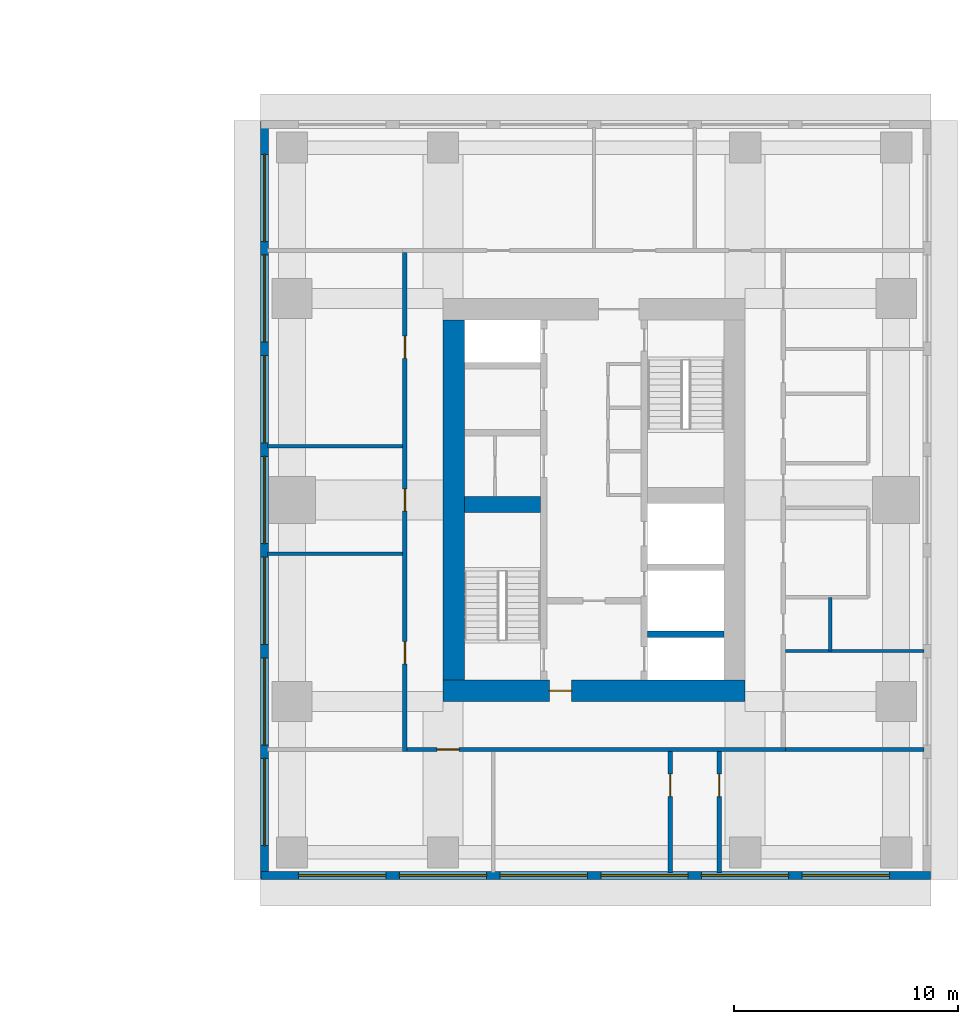
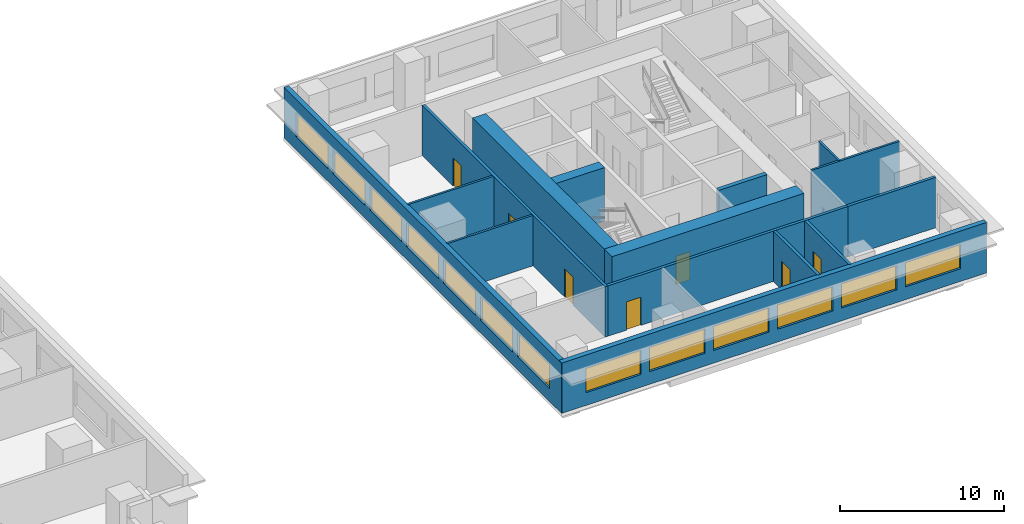
# One storey, part 6 of 11: 15 walls, 13 windows, 7 doors, 20 openings.
"""IFC4 building model written with IfcOpenShell, lengths in metres."""

from ifc_helpers import new_model, si_unit, direction, frame, frame_2d, origin, place, context, subcontext, project, spatial, rectangle, extrude, material, layer, layer_set, type_object, element, fill, save


model = new_model("IFC4")

# Units and contexts
model_context = context("Model", 3, precision=1e-05, world=origin(), true_north=direction((0.0, 1.0)))
body_context = subcontext(model_context, "Body", "Model", "MODEL_VIEW")
ifc_project = project(units=[si_unit("LENGTHUNIT", "METRE"), si_unit("AREAUNIT", "SQUARE_METRE"), si_unit("VOLUMEUNIT", "CUBIC_METRE"), si_unit("PLANEANGLEUNIT", "RADIAN"), si_unit("MASSUNIT", "GRAM", prefix="KILO")], contexts=[model_context])

# Site, building, storey
site_placement = place(None, origin())
site = spatial("IfcSite", under=ifc_project, at=site_placement, CompositionType="ELEMENT")
building_placement = place(site_placement, origin())
building = spatial("IfcBuilding", under=site, at=building_placement, Name="Namib Vertical Campus", CompositionType="ELEMENT")
storey_placement = place(building_placement, frame((0.0, 0.0, 201.0)))
storey = spatial("IfcBuildingStorey", under=building, at=storey_placement, Name="L47", CompositionType="ELEMENT", Elevation=201.0)

# Walls
ifc_material_1 = material(Name="Concrete C60/75", Category="concrete")
ifc_layer_1 = layer(ifc_material_1, 0.300048828125)
ifc_layer_set_1 = layer_set([ifc_layer_1], Name="Concrete C60/75")
wall_type_1 = type_object("IfcWallType", Name="Core inner wall 300", PredefinedType="SHEAR", material=ifc_layer_set_1)
wall_1_placement = place(storey_placement, frame((83.39990234375, 14.25, 0.0), z_axis=(0.0, 0.0, 1.0), x_axis=(1.0, 0.0, 0.0)))
element("IfcWall", 1, at=wall_1_placement, inside=storey, type_object=wall_type_1, Name="Core inner wall B L47 W5", PredefinedType="SHEAR", context=body_context, shape_type="SweptSolid", body=[
    extrude(rectangle(XDim=3.400146484375, YDim=0.300048828125, at=frame_2d((1.7001953125, 0.0))), origin(), (0.0, 0.0, 1.0), 4.0),
])
ifc_material_2 = material(Name="Concrete C60/75", Category="concrete")
ifc_layer_2 = layer(ifc_material_2, 0.699951171875)
ifc_layer_set_2 = layer_set([ifc_layer_2], Name="Concrete C60/75")
wall_type_2 = type_object("IfcWallType", Name="Core shear wall 700", PredefinedType="SHEAR", material=ifc_layer_set_2)
wall_2_placement = place(storey_placement, frame((75.199951171875, 20.050048828125, 0.0), z_axis=(0.0, 0.0, 1.0), x_axis=(1.0, 0.0, 0.0)))
element("IfcWall", 2, at=wall_2_placement, inside=storey, type_object=wall_type_2, Name="Core shear wall B L47 W3", PredefinedType="SHEAR", context=body_context, shape_type="SweptSolid", body=[
    extrude(rectangle(XDim=3.400146484375, YDim=0.699951171875, at=frame_2d((1.7001953125, 0.0))), origin(), (0.0, 0.0, 1.0), 4.0),
])

# Wall, opening, door
ifc_material_3 = material(Name="Concrete C60/75", Category="concrete")
ifc_layer_3 = layer(ifc_material_3, 0.949951171875)
ifc_layer_set_3 = layer_set([ifc_layer_3], Name="Concrete C60/75")
wall_type_3 = type_object("IfcWallType", Name="Core wall 950", PredefinedType="SHEAR", material=ifc_layer_set_3)
wall_3_placement = place(storey_placement, frame((74.25, 11.72509765625, 0.0), z_axis=(0.0, 0.0, 1.0), x_axis=(1.0, 0.0, 0.0)))
wall_3 = element("IfcWall", 3, at=wall_3_placement, inside=storey, type_object=wall_type_3, Name="Core wall B L47 1", PredefinedType="SHEAR", context=body_context, shape_type="SweptSolid", body=[
    extrude(rectangle(XDim=13.5, YDim=0.949951171875, at=frame_2d((6.75, 0.0))), origin(), (0.0, 0.0, 1.0), 4.0),
])
opening_1_placement = place(wall_3_placement, frame((4.75, 0.0, 0.0)))
opening_1 = element("IfcOpeningElement", 4, at=opening_1_placement, cuts=wall_3, Name="Opening FD5", PredefinedType="OPENING", context=body_context, shape_type="SweptSolid", body=[
    extrude(rectangle(XDim=1.0, YDim=2.10009765625, at=frame_2d((0.5, 1.050048828125))), frame((0.0, 0.48486328125, 0.0), z_axis=(0.0, -1.0, 0.0), x_axis=(1.0, 0.0, 0.0)), (0.0, 0.0, 1.0), 0.969970703125),
])
ifc_material_4 = material(Name="Steel fire door", Category="steel")
door_type_1 = type_object("IfcDoorType", Name="Fire door 1000x2100 120 min", OperationType="SINGLE_SWING_RIGHT", PredefinedType="DOOR", material=ifc_material_4)
door_1_placement = place(opening_1_placement, origin())
door_1 = element("IfcDoor", 5, at=door_1_placement, inside=storey, type_object=door_type_1, Name="Firefighting lobby door FD5 B L47", OperationType="SINGLE_SWING_LEFT", OverallHeight=2.10009765625, OverallWidth=1.0, PredefinedType="DOOR", context=body_context, shape_type="SweptSolid", body=[
    extrude(rectangle(XDim=1.0, YDim=2.10009765625, at=frame_2d((0.5, 1.050048828125))), frame((0.0, 0.02490234375, 0.0), z_axis=(0.0, -1.0, 0.0), x_axis=(1.0, 0.0, 0.0)), (0.0, 0.0, 1.0), 0.050048828125),
])
fill(opening_1, door_1)

# Wall
wall_4_placement = place(storey_placement, frame((74.72509765625, 28.300048828125, 0.0), z_axis=(0.0, 0.0, 1.0), x_axis=(0.0, -1.0, 0.0)))
element("IfcWall", 6, at=wall_4_placement, inside=storey, type_object=wall_type_3, Name="Core wall B L47 4", PredefinedType="SHEAR", context=body_context, shape_type="SweptSolid", body=[
    extrude(rectangle(XDim=16.10009765625, YDim=0.949951171875, at=frame_2d((8.050048828125, 0.0))), origin(), (0.0, 0.0, 1.0), 4.0),
])

# Wall, opening, door
ifc_material_5 = material(Name="Concrete masonry", Category="masonry")
ifc_layer_4 = layer(ifc_material_5, 0.199951171875)
ifc_layer_set_4 = layer_set([ifc_layer_4], Name="Corridor wall 200")
wall_type_4 = type_object("IfcWallType", Name="Corridor wall 200", PredefinedType="SOLIDWALL", material=ifc_layer_set_4)
wall_5_placement = place(storey_placement, frame((72.64990234375, 9.10009765625, 0.0), z_axis=(0.0, 0.0, 1.0), x_axis=(1.0, 0.0, 0.0)))
wall_5 = element("IfcWall", 7, at=wall_5_placement, inside=storey, type_object=wall_type_4, Name="Corridor wall B L47 CS", PredefinedType="SOLIDWALL", context=body_context, shape_type="SweptSolid", body=[
    extrude(rectangle(XDim=16.900146484375, YDim=0.199951171875, at=frame_2d((8.4501953125, 0.0))), origin(), (0.0, 0.0, 1.0), 3.75),
])
opening_2_placement = place(wall_5_placement, frame((1.324951171875, 0.0, 0.0)))
opening_2 = element("IfcOpeningElement", 8, at=opening_2_placement, cuts=wall_5, Name="Opening CD1", PredefinedType="OPENING", context=body_context, shape_type="SweptSolid", body=[
    extrude(rectangle(XDim=1.0, YDim=2.10009765625, at=frame_2d((0.5, 1.050048828125))), frame((0.0, 0.10986328125, 0.0), z_axis=(0.0, -1.0, 0.0), x_axis=(1.0, 0.0, 0.0)), (0.0, 0.0, 1.0), 0.219970703125),
])
ifc_material_6 = material(Name="Timber fire door leaf", Category="wood")
door_type_2 = type_object("IfcDoorType", Name="Corridor door 1000x2100 20 min", OperationType="SINGLE_SWING_LEFT", PredefinedType="DOOR", material=ifc_material_6)
door_2_placement = place(opening_2_placement, frame((1.0, 0.0, 0.0), z_axis=(0.0, 0.0, 1.0), x_axis=(-1.0, 0.0, 0.0)))
door_2 = element("IfcDoor", 9, at=door_2_placement, inside=storey, type_object=door_type_2, Name="Door CD1 B47-01", OperationType="SINGLE_SWING_LEFT", OverallHeight=2.10009765625, OverallWidth=1.0, PredefinedType="DOOR", context=body_context, shape_type="SweptSolid", body=[
    extrude(rectangle(XDim=1.0, YDim=2.10009765625, at=frame_2d((0.5, 1.050048828125))), frame((0.0, 0.02490234375, 0.0), z_axis=(0.0, -1.0, 0.0), x_axis=(1.0, 0.0, 0.0)), (0.0, 0.0, 1.0), 0.050048828125),
])
fill(opening_2, door_2)

# Wall, openings, doors
wall_6_placement = place(storey_placement, frame((72.550048828125, 31.300048828125, 0.0), z_axis=(0.0, 0.0, 1.0), x_axis=(0.0, -1.0, 0.0)))
wall_6 = element("IfcWall", 10, at=wall_6_placement, inside=storey, type_object=wall_type_4, Name="Corridor wall B L47 CW", PredefinedType="SOLIDWALL", context=body_context, shape_type="SweptSolid", body=[
    extrude(rectangle(XDim=22.300048828125, YDim=0.199951171875, at=frame_2d((11.14990234375, 0.0))), origin(), (0.0, 0.0, 1.0), 3.75),
])
opening_3_placement = place(wall_6_placement, frame((17.375, 0.0, 0.0)))
opening_3 = element("IfcOpeningElement", 11, at=opening_3_placement, cuts=wall_6, Name="Opening CD1", PredefinedType="OPENING", context=body_context, shape_type="SweptSolid", body=[
    extrude(rectangle(XDim=1.0, YDim=2.10009765625, at=frame_2d((0.5, 1.050048828125))), frame((0.0, 0.10986328125, 0.0), z_axis=(0.0, -1.0, 0.0), x_axis=(1.0, 0.0, 0.0)), (0.0, 0.0, 1.0), 0.219970703125),
])
opening_4_placement = place(wall_6_placement, frame((10.550048828125, 0.0, 0.0)))
opening_4 = element("IfcOpeningElement", 12, at=opening_4_placement, cuts=wall_6, Name="Opening CD1", PredefinedType="OPENING", context=body_context, shape_type="SweptSolid", body=[
    extrude(rectangle(XDim=1.0, YDim=2.10009765625, at=frame_2d((0.5, 1.050048828125))), frame((0.0, 0.10986328125, 0.0), z_axis=(0.0, -1.0, 0.0), x_axis=(1.0, 0.0, 0.0)), (0.0, 0.0, 1.0), 0.219970703125),
])
opening_5_placement = place(wall_6_placement, frame((3.72509765625, 0.0, 0.0)))
opening_5 = element("IfcOpeningElement", 13, at=opening_5_placement, cuts=wall_6, Name="Opening CD1", PredefinedType="OPENING", context=body_context, shape_type="SweptSolid", body=[
    extrude(rectangle(XDim=1.0, YDim=2.10009765625, at=frame_2d((0.5, 1.050048828125))), frame((0.0, 0.10986328125, 0.0), z_axis=(0.0, -1.0, 0.0), x_axis=(1.0, 0.0, 0.0)), (0.0, 0.0, 1.0), 0.219970703125),
])
door_3_placement = place(opening_3_placement, frame((1.0, 0.0, 0.0), z_axis=(0.0, 0.0, 1.0), x_axis=(-1.0, 0.0, 0.0)))
door_3 = element("IfcDoor", 14, at=door_3_placement, inside=storey, type_object=door_type_2, Name="Door CD1 B47-14", OperationType="SINGLE_SWING_RIGHT", OverallHeight=2.10009765625, OverallWidth=1.0, PredefinedType="DOOR", context=body_context, shape_type="SweptSolid", body=[
    extrude(rectangle(XDim=1.0, YDim=2.10009765625, at=frame_2d((0.5, 1.050048828125))), frame((0.0, 0.02490234375, 0.0), z_axis=(0.0, -1.0, 0.0), x_axis=(1.0, 0.0, 0.0)), (0.0, 0.0, 1.0), 0.050048828125),
])
fill(opening_3, door_3)
door_4_placement = place(opening_4_placement, frame((1.0, 0.0, 0.0), z_axis=(0.0, 0.0, 1.0), x_axis=(-1.0, 0.0, 0.0)))
door_4 = element("IfcDoor", 15, at=door_4_placement, inside=storey, type_object=door_type_2, Name="Door CD1 B47-15", OperationType="SINGLE_SWING_RIGHT", OverallHeight=2.10009765625, OverallWidth=1.0, PredefinedType="DOOR", context=body_context, shape_type="SweptSolid", body=[
    extrude(rectangle(XDim=1.0, YDim=2.10009765625, at=frame_2d((0.5, 1.050048828125))), frame((0.0, 0.02490234375, 0.0), z_axis=(0.0, -1.0, 0.0), x_axis=(1.0, 0.0, 0.0)), (0.0, 0.0, 1.0), 0.050048828125),
])
fill(opening_4, door_4)
door_5_placement = place(opening_5_placement, frame((1.0, 0.0, 0.0), z_axis=(0.0, 0.0, 1.0), x_axis=(-1.0, 0.0, 0.0)))
door_5 = element("IfcDoor", 16, at=door_5_placement, inside=storey, type_object=door_type_2, Name="Door CD1 B47-16", OperationType="SINGLE_SWING_RIGHT", OverallHeight=2.10009765625, OverallWidth=1.0, PredefinedType="DOOR", context=body_context, shape_type="SweptSolid", body=[
    extrude(rectangle(XDim=1.0, YDim=2.10009765625, at=frame_2d((0.5, 1.050048828125))), frame((0.0, 0.02490234375, 0.0), z_axis=(0.0, -1.0, 0.0), x_axis=(1.0, 0.0, 0.0)), (0.0, 0.0, 1.0), 0.050048828125),
])
fill(opening_5, door_5)

# Wall, opening, door
wall_7_placement = place(storey_placement, frame((84.39990234375, 3.60009765625, 0.0), z_axis=(0.0, 0.0, 1.0), x_axis=(0.0, 1.0, 0.0)))
wall_7 = element("IfcWall", 17, at=wall_7_placement, inside=storey, type_object=wall_type_4, Name="Corridor wall B L47 SPS1", PredefinedType="SOLIDWALL", context=body_context, shape_type="SweptSolid", body=[
    extrude(rectangle(XDim=5.39990234375, YDim=0.199951171875, at=frame_2d((2.699951171875, 0.0))), origin(), (0.0, 0.0, 1.0), 3.75),
])
opening_6_placement = place(wall_7_placement, frame((3.39990234375, 0.0, 0.0)))
opening_6 = element("IfcOpeningElement", 18, at=opening_6_placement, cuts=wall_7, Name="Opening CD1", PredefinedType="OPENING", context=body_context, shape_type="SweptSolid", body=[
    extrude(rectangle(XDim=1.0, YDim=2.10009765625, at=frame_2d((0.5, 1.050048828125))), frame((0.0, 0.10986328125, 0.0), z_axis=(0.0, -1.0, 0.0), x_axis=(1.0, 0.0, 0.0)), (0.0, 0.0, 1.0), 0.219970703125),
])
door_6_placement = place(opening_6_placement, origin())
door_6 = element("IfcDoor", 19, at=door_6_placement, inside=storey, type_object=door_type_2, Name="Door CD1 B47-02", OperationType="SINGLE_SWING_RIGHT", OverallHeight=2.10009765625, OverallWidth=1.0, PredefinedType="DOOR", context=body_context, shape_type="SweptSolid", body=[
    extrude(rectangle(XDim=1.0, YDim=2.10009765625, at=frame_2d((0.5, 1.050048828125))), frame((0.0, 0.02490234375, 0.0), z_axis=(0.0, -1.0, 0.0), x_axis=(1.0, 0.0, 0.0)), (0.0, 0.0, 1.0), 0.050048828125),
])
fill(opening_6, door_6)

wall_8_placement = place(storey_placement, frame((86.60009765625, 9.0, 0.0), z_axis=(0.0, 0.0, 1.0), x_axis=(0.0, -1.0, 0.0)))
wall_8 = element("IfcWall", 20, at=wall_8_placement, inside=storey, type_object=wall_type_4, Name="Corridor wall B L47 SPS2", PredefinedType="SOLIDWALL", context=body_context, shape_type="SweptSolid", body=[
    extrude(rectangle(XDim=5.39990234375, YDim=0.199951171875, at=frame_2d((2.699951171875, 0.0))), origin(), (0.0, 0.0, 1.0), 3.75),
])
opening_7_placement = place(wall_8_placement, frame((1.0, 0.0, 0.0)))
opening_7 = element("IfcOpeningElement", 21, at=opening_7_placement, cuts=wall_8, Name="Opening CD1", PredefinedType="OPENING", context=body_context, shape_type="SweptSolid", body=[
    extrude(rectangle(XDim=1.0, YDim=2.10009765625, at=frame_2d((0.5, 1.050048828125))), frame((0.0, 0.10986328125, 0.0), z_axis=(0.0, -1.0, 0.0), x_axis=(1.0, 0.0, 0.0)), (0.0, 0.0, 1.0), 0.219970703125),
])
door_7_placement = place(opening_7_placement, origin())
door_7 = element("IfcDoor", 22, at=door_7_placement, inside=storey, type_object=door_type_2, Name="Door CD1 B47-03", OperationType="SINGLE_SWING_LEFT", OverallHeight=2.10009765625, OverallWidth=1.0, PredefinedType="DOOR", context=body_context, shape_type="SweptSolid", body=[
    extrude(rectangle(XDim=1.0, YDim=2.10009765625, at=frame_2d((0.5, 1.050048828125))), frame((0.0, 0.02490234375, 0.0), z_axis=(0.0, -1.0, 0.0), x_axis=(1.0, 0.0, 0.0)), (0.0, 0.0, 1.0), 0.050048828125),
])
fill(opening_7, door_7)

# Wall
wall_9_placement = place(storey_placement, frame((89.550048828125, 9.10009765625, 0.0), z_axis=(0.0, 0.0, 1.0), x_axis=(1.0, 0.0, 0.0)))
element("IfcWall", 23, at=wall_9_placement, inside=storey, type_object=wall_type_4, Name="Partition B L47 BSE", PredefinedType="SOLIDWALL", context=body_context, shape_type="SweptSolid", body=[
    extrude(rectangle(XDim=6.199951171875, YDim=0.199951171875, at=frame_2d((3.10009765625, 0.0))), origin(), (0.0, 0.0, 1.0), 3.75),
])

# Wall, openings, windows
ifc_material_7 = material(Name="Concrete C40/50", Category="concrete")
ifc_layer_5 = layer(ifc_material_7, 0.35009765625)
ifc_layer_set_5 = layer_set([ifc_layer_5], Name="Concrete C40/50")
wall_type_5 = type_object("IfcWallType", Name="External wall 350 bush-hammered concrete", PredefinedType="STANDARD", material=ifc_layer_set_5)
wall_10_placement = place(storey_placement, frame((66.1201171875, 3.47509765625, 0.0), z_axis=(0.0, 0.0, 1.0), x_axis=(1.0, 0.0, 0.0)))
wall_10 = element("IfcWall", 24, at=wall_10_placement, inside=storey, type_object=wall_type_5, Name="External wall L47 F01", PredefinedType="STANDARD", context=body_context, shape_type="SweptSolid", body=[
    extrude(rectangle(XDim=29.909912109375, YDim=0.35009765625, at=frame_2d((14.955078125, 0.0))), origin(), (0.0, 0.0, 1.0), 3.75),
])
opening_8_placement = place(wall_10_placement, frame((1.679931640625, 0.0, 0.949951171875)))
opening_8 = element("IfcOpeningElement", 25, at=opening_8_placement, cuts=wall_10, Name="Opening W3", PredefinedType="OPENING", context=body_context, shape_type="SweptSolid", body=[
    extrude(rectangle(XDim=3.89990234375, YDim=1.800048828125, at=frame_2d((1.949951171875, 0.89990234375))), frame((0.0, 0.18505859375, 0.0), z_axis=(0.0, -1.0, 0.0), x_axis=(1.0, 0.0, 0.0)), (0.0, 0.0, 1.0), 0.3701171875),
])
opening_9_placement = place(wall_10_placement, frame((6.179931640625, 0.0, 0.949951171875)))
opening_9 = element("IfcOpeningElement", 26, at=opening_9_placement, cuts=wall_10, Name="Opening W3", PredefinedType="OPENING", context=body_context, shape_type="SweptSolid", body=[
    extrude(rectangle(XDim=3.89990234375, YDim=1.800048828125, at=frame_2d((1.949951171875, 0.89990234375))), frame((0.0, 0.18505859375, 0.0), z_axis=(0.0, -1.0, 0.0), x_axis=(1.0, 0.0, 0.0)), (0.0, 0.0, 1.0), 0.3701171875),
])
opening_10_placement = place(wall_10_placement, frame((10.679931640625, 0.0, 0.949951171875)))
opening_10 = element("IfcOpeningElement", 27, at=opening_10_placement, cuts=wall_10, Name="Opening W3", PredefinedType="OPENING", context=body_context, shape_type="SweptSolid", body=[
    extrude(rectangle(XDim=3.89990234375, YDim=1.800048828125, at=frame_2d((1.949951171875, 0.89990234375))), frame((0.0, 0.18505859375, 0.0), z_axis=(0.0, -1.0, 0.0), x_axis=(1.0, 0.0, 0.0)), (0.0, 0.0, 1.0), 0.3701171875),
])
opening_11_placement = place(wall_10_placement, frame((15.179931640625, 0.0, 0.949951171875)))
opening_11 = element("IfcOpeningElement", 28, at=opening_11_placement, cuts=wall_10, Name="Opening W3", PredefinedType="OPENING", context=body_context, shape_type="SweptSolid", body=[
    extrude(rectangle(XDim=3.89990234375, YDim=1.800048828125, at=frame_2d((1.949951171875, 0.89990234375))), frame((0.0, 0.18505859375, 0.0), z_axis=(0.0, -1.0, 0.0), x_axis=(1.0, 0.0, 0.0)), (0.0, 0.0, 1.0), 0.3701171875),
])
opening_12_placement = place(wall_10_placement, frame((19.679931640625, 0.0, 0.949951171875)))
opening_12 = element("IfcOpeningElement", 29, at=opening_12_placement, cuts=wall_10, Name="Opening W3", PredefinedType="OPENING", context=body_context, shape_type="SweptSolid", body=[
    extrude(rectangle(XDim=3.89990234375, YDim=1.800048828125, at=frame_2d((1.949951171875, 0.89990234375))), frame((0.0, 0.18505859375, 0.0), z_axis=(0.0, -1.0, 0.0), x_axis=(1.0, 0.0, 0.0)), (0.0, 0.0, 1.0), 0.3701171875),
])
opening_13_placement = place(wall_10_placement, frame((24.179931640625, 0.0, 0.949951171875)))
opening_13 = element("IfcOpeningElement", 30, at=opening_13_placement, cuts=wall_10, Name="Opening W3", PredefinedType="OPENING", context=body_context, shape_type="SweptSolid", body=[
    extrude(rectangle(XDim=3.89990234375, YDim=1.800048828125, at=frame_2d((1.949951171875, 0.89990234375))), frame((0.0, 0.18505859375, 0.0), z_axis=(0.0, -1.0, 0.0), x_axis=(1.0, 0.0, 0.0)), (0.0, 0.0, 1.0), 0.3701171875),
])
ifc_material_8 = material(Name="Dark tinted glass in black aluminium frame", Category="aluminium")
window_type = type_object("IfcWindowType", Name="Ribbon window 3900x1800", PartitioningType="SINGLE_PANEL", PredefinedType="WINDOW", material=ifc_material_8)
window_1_placement = place(opening_8_placement, origin())
window_1 = element("IfcWindow", 31, at=window_1_placement, inside=storey, type_object=window_type, Name="Window W3 L47 F01-1", OverallHeight=1.800048828125, OverallWidth=3.89990234375, PartitioningType="SINGLE_PANEL", PredefinedType="WINDOW", context=body_context, shape_type="SweptSolid", body=[
    extrude(rectangle(XDim=3.89990234375, YDim=1.800048828125, at=frame_2d((1.949951171875, 0.89990234375))), frame((0.0, 0.030029296875, 0.0), z_axis=(0.0, -1.0, 0.0), x_axis=(1.0, 0.0, 0.0)), (0.0, 0.0, 1.0), 0.06005859375),
])
fill(opening_8, window_1)
window_2_placement = place(opening_9_placement, origin())
window_2 = element("IfcWindow", 32, at=window_2_placement, inside=storey, type_object=window_type, Name="Window W3 L47 F01-2", OverallHeight=1.800048828125, OverallWidth=3.89990234375, PartitioningType="SINGLE_PANEL", PredefinedType="WINDOW", context=body_context, shape_type="SweptSolid", body=[
    extrude(rectangle(XDim=3.89990234375, YDim=1.800048828125, at=frame_2d((1.949951171875, 0.89990234375))), frame((0.0, 0.030029296875, 0.0), z_axis=(0.0, -1.0, 0.0), x_axis=(1.0, 0.0, 0.0)), (0.0, 0.0, 1.0), 0.06005859375),
])
fill(opening_9, window_2)
window_3_placement = place(opening_10_placement, origin())
window_3 = element("IfcWindow", 33, at=window_3_placement, inside=storey, type_object=window_type, Name="Window W3 L47 F01-3", OverallHeight=1.800048828125, OverallWidth=3.89990234375, PartitioningType="SINGLE_PANEL", PredefinedType="WINDOW", context=body_context, shape_type="SweptSolid", body=[
    extrude(rectangle(XDim=3.89990234375, YDim=1.800048828125, at=frame_2d((1.949951171875, 0.89990234375))), frame((0.0, 0.030029296875, 0.0), z_axis=(0.0, -1.0, 0.0), x_axis=(1.0, 0.0, 0.0)), (0.0, 0.0, 1.0), 0.06005859375),
])
fill(opening_10, window_3)
window_4_placement = place(opening_11_placement, origin())
window_4 = element("IfcWindow", 34, at=window_4_placement, inside=storey, type_object=window_type, Name="Window W3 L47 F01-4", OverallHeight=1.800048828125, OverallWidth=3.89990234375, PartitioningType="SINGLE_PANEL", PredefinedType="WINDOW", context=body_context, shape_type="SweptSolid", body=[
    extrude(rectangle(XDim=3.89990234375, YDim=1.800048828125, at=frame_2d((1.949951171875, 0.89990234375))), frame((0.0, 0.030029296875, 0.0), z_axis=(0.0, -1.0, 0.0), x_axis=(1.0, 0.0, 0.0)), (0.0, 0.0, 1.0), 0.06005859375),
])
fill(opening_11, window_4)
window_5_placement = place(opening_12_placement, origin())
window_5 = element("IfcWindow", 35, at=window_5_placement, inside=storey, type_object=window_type, Name="Window W3 L47 F01-5", OverallHeight=1.800048828125, OverallWidth=3.89990234375, PartitioningType="SINGLE_PANEL", PredefinedType="WINDOW", context=body_context, shape_type="SweptSolid", body=[
    extrude(rectangle(XDim=3.89990234375, YDim=1.800048828125, at=frame_2d((1.949951171875, 0.89990234375))), frame((0.0, 0.030029296875, 0.0), z_axis=(0.0, -1.0, 0.0), x_axis=(1.0, 0.0, 0.0)), (0.0, 0.0, 1.0), 0.06005859375),
])
fill(opening_12, window_5)
window_6_placement = place(opening_13_placement, origin())
window_6 = element("IfcWindow", 36, at=window_6_placement, inside=storey, type_object=window_type, Name="Window W3 L47 F01-6", OverallHeight=1.800048828125, OverallWidth=3.89990234375, PartitioningType="SINGLE_PANEL", PredefinedType="WINDOW", context=body_context, shape_type="SweptSolid", body=[
    extrude(rectangle(XDim=3.89990234375, YDim=1.800048828125, at=frame_2d((1.949951171875, 0.89990234375))), frame((0.0, 0.030029296875, 0.0), z_axis=(0.0, -1.0, 0.0), x_axis=(1.0, 0.0, 0.0)), (0.0, 0.0, 1.0), 0.06005859375),
])
fill(opening_13, window_6)

wall_11_placement = place(storey_placement, frame((66.27490234375, 37.179931640625, 0.0), z_axis=(0.0, 0.0, 1.0), x_axis=(0.0, -1.0, 0.0)))
wall_11 = element("IfcWall", 37, at=wall_11_placement, inside=storey, type_object=wall_type_5, Name="External wall L47 F04", PredefinedType="STANDARD", context=body_context, shape_type="SweptSolid", body=[
    extrude(rectangle(XDim=33.85986328125, YDim=0.35009765625, at=frame_2d((16.929931640625, 0.0))), origin(), (0.0, 0.0, 1.0), 3.75),
])
opening_14_placement = place(wall_11_placement, frame((28.47998046875, 0.0, 0.949951171875)))
opening_14 = element("IfcOpeningElement", 38, at=opening_14_placement, cuts=wall_11, Name="Opening W3", PredefinedType="OPENING", context=body_context, shape_type="SweptSolid", body=[
    extrude(rectangle(XDim=3.89990234375, YDim=1.800048828125, at=frame_2d((1.949951171875, 0.89990234375))), frame((0.0, 0.18505859375, 0.0), z_axis=(0.0, -1.0, 0.0), x_axis=(1.0, 0.0, 0.0)), (0.0, 0.0, 1.0), 0.3701171875),
])
opening_15_placement = place(wall_11_placement, frame((23.97998046875, 0.0, 0.949951171875)))
opening_15 = element("IfcOpeningElement", 39, at=opening_15_placement, cuts=wall_11, Name="Opening W3", PredefinedType="OPENING", context=body_context, shape_type="SweptSolid", body=[
    extrude(rectangle(XDim=3.89990234375, YDim=1.800048828125, at=frame_2d((1.949951171875, 0.89990234375))), frame((0.0, 0.18505859375, 0.0), z_axis=(0.0, -1.0, 0.0), x_axis=(1.0, 0.0, 0.0)), (0.0, 0.0, 1.0), 0.3701171875),
])
opening_16_placement = place(wall_11_placement, frame((19.47998046875, 0.0, 0.949951171875)))
opening_16 = element("IfcOpeningElement", 40, at=opening_16_placement, cuts=wall_11, Name="Opening W3", PredefinedType="OPENING", context=body_context, shape_type="SweptSolid", body=[
    extrude(rectangle(XDim=3.89990234375, YDim=1.800048828125, at=frame_2d((1.949951171875, 0.89990234375))), frame((0.0, 0.18505859375, 0.0), z_axis=(0.0, -1.0, 0.0), x_axis=(1.0, 0.0, 0.0)), (0.0, 0.0, 1.0), 0.3701171875),
])
opening_17_placement = place(wall_11_placement, frame((14.97998046875, 0.0, 0.949951171875)))
opening_17 = element("IfcOpeningElement", 41, at=opening_17_placement, cuts=wall_11, Name="Opening W3", PredefinedType="OPENING", context=body_context, shape_type="SweptSolid", body=[
    extrude(rectangle(XDim=3.89990234375, YDim=1.800048828125, at=frame_2d((1.949951171875, 0.89990234375))), frame((0.0, 0.18505859375, 0.0), z_axis=(0.0, -1.0, 0.0), x_axis=(1.0, 0.0, 0.0)), (0.0, 0.0, 1.0), 0.3701171875),
])
opening_18_placement = place(wall_11_placement, frame((10.47998046875, 0.0, 0.949951171875)))
opening_18 = element("IfcOpeningElement", 42, at=opening_18_placement, cuts=wall_11, Name="Opening W3", PredefinedType="OPENING", context=body_context, shape_type="SweptSolid", body=[
    extrude(rectangle(XDim=3.89990234375, YDim=1.800048828125, at=frame_2d((1.949951171875, 0.89990234375))), frame((0.0, 0.18505859375, 0.0), z_axis=(0.0, -1.0, 0.0), x_axis=(1.0, 0.0, 0.0)), (0.0, 0.0, 1.0), 0.3701171875),
])
opening_19_placement = place(wall_11_placement, frame((5.97998046875, 0.0, 0.949951171875)))
opening_19 = element("IfcOpeningElement", 43, at=opening_19_placement, cuts=wall_11, Name="Opening W3", PredefinedType="OPENING", context=body_context, shape_type="SweptSolid", body=[
    extrude(rectangle(XDim=3.89990234375, YDim=1.800048828125, at=frame_2d((1.949951171875, 0.89990234375))), frame((0.0, 0.18505859375, 0.0), z_axis=(0.0, -1.0, 0.0), x_axis=(1.0, 0.0, 0.0)), (0.0, 0.0, 1.0), 0.3701171875),
])
opening_20_placement = place(wall_11_placement, frame((1.47998046875, 0.0, 0.949951171875)))
opening_20 = element("IfcOpeningElement", 44, at=opening_20_placement, cuts=wall_11, Name="Opening W3", PredefinedType="OPENING", context=body_context, shape_type="SweptSolid", body=[
    extrude(rectangle(XDim=3.89990234375, YDim=1.800048828125, at=frame_2d((1.949951171875, 0.89990234375))), frame((0.0, 0.18505859375, 0.0), z_axis=(0.0, -1.0, 0.0), x_axis=(1.0, 0.0, 0.0)), (0.0, 0.0, 1.0), 0.3701171875),
])
window_7_placement = place(opening_14_placement, origin())
window_7 = element("IfcWindow", 45, at=window_7_placement, inside=storey, type_object=window_type, Name="Window W3 L47 F04-1", OverallHeight=1.800048828125, OverallWidth=3.89990234375, PartitioningType="SINGLE_PANEL", PredefinedType="WINDOW", context=body_context, shape_type="SweptSolid", body=[
    extrude(rectangle(XDim=3.89990234375, YDim=1.800048828125, at=frame_2d((1.949951171875, 0.89990234375))), frame((0.0, 0.030029296875, 0.0), z_axis=(0.0, -1.0, 0.0), x_axis=(1.0, 0.0, 0.0)), (0.0, 0.0, 1.0), 0.06005859375),
])
fill(opening_14, window_7)
window_8_placement = place(opening_15_placement, origin())
window_8 = element("IfcWindow", 46, at=window_8_placement, inside=storey, type_object=window_type, Name="Window W3 L47 F04-2", OverallHeight=1.800048828125, OverallWidth=3.89990234375, PartitioningType="SINGLE_PANEL", PredefinedType="WINDOW", context=body_context, shape_type="SweptSolid", body=[
    extrude(rectangle(XDim=3.89990234375, YDim=1.800048828125, at=frame_2d((1.949951171875, 0.89990234375))), frame((0.0, 0.030029296875, 0.0), z_axis=(0.0, -1.0, 0.0), x_axis=(1.0, 0.0, 0.0)), (0.0, 0.0, 1.0), 0.06005859375),
])
fill(opening_15, window_8)
window_9_placement = place(opening_16_placement, origin())
window_9 = element("IfcWindow", 47, at=window_9_placement, inside=storey, type_object=window_type, Name="Window W3 L47 F04-3", OverallHeight=1.800048828125, OverallWidth=3.89990234375, PartitioningType="SINGLE_PANEL", PredefinedType="WINDOW", context=body_context, shape_type="SweptSolid", body=[
    extrude(rectangle(XDim=3.89990234375, YDim=1.800048828125, at=frame_2d((1.949951171875, 0.89990234375))), frame((0.0, 0.030029296875, 0.0), z_axis=(0.0, -1.0, 0.0), x_axis=(1.0, 0.0, 0.0)), (0.0, 0.0, 1.0), 0.06005859375),
])
fill(opening_16, window_9)
window_10_placement = place(opening_17_placement, origin())
window_10 = element("IfcWindow", 48, at=window_10_placement, inside=storey, type_object=window_type, Name="Window W3 L47 F04-4", OverallHeight=1.800048828125, OverallWidth=3.89990234375, PartitioningType="SINGLE_PANEL", PredefinedType="WINDOW", context=body_context, shape_type="SweptSolid", body=[
    extrude(rectangle(XDim=3.89990234375, YDim=1.800048828125, at=frame_2d((1.949951171875, 0.89990234375))), frame((0.0, 0.030029296875, 0.0), z_axis=(0.0, -1.0, 0.0), x_axis=(1.0, 0.0, 0.0)), (0.0, 0.0, 1.0), 0.06005859375),
])
fill(opening_17, window_10)
window_11_placement = place(opening_18_placement, origin())
window_11 = element("IfcWindow", 49, at=window_11_placement, inside=storey, type_object=window_type, Name="Window W3 L47 F04-5", OverallHeight=1.800048828125, OverallWidth=3.89990234375, PartitioningType="SINGLE_PANEL", PredefinedType="WINDOW", context=body_context, shape_type="SweptSolid", body=[
    extrude(rectangle(XDim=3.89990234375, YDim=1.800048828125, at=frame_2d((1.949951171875, 0.89990234375))), frame((0.0, 0.030029296875, 0.0), z_axis=(0.0, -1.0, 0.0), x_axis=(1.0, 0.0, 0.0)), (0.0, 0.0, 1.0), 0.06005859375),
])
fill(opening_18, window_11)
window_12_placement = place(opening_19_placement, origin())
window_12 = element("IfcWindow", 50, at=window_12_placement, inside=storey, type_object=window_type, Name="Window W3 L47 F04-6", OverallHeight=1.800048828125, OverallWidth=3.89990234375, PartitioningType="SINGLE_PANEL", PredefinedType="WINDOW", context=body_context, shape_type="SweptSolid", body=[
    extrude(rectangle(XDim=3.89990234375, YDim=1.800048828125, at=frame_2d((1.949951171875, 0.89990234375))), frame((0.0, 0.030029296875, 0.0), z_axis=(0.0, -1.0, 0.0), x_axis=(1.0, 0.0, 0.0)), (0.0, 0.0, 1.0), 0.06005859375),
])
fill(opening_19, window_12)
window_13_placement = place(opening_20_placement, origin())
window_13 = element("IfcWindow", 51, at=window_13_placement, inside=storey, type_object=window_type, Name="Window W3 L47 F04-7", OverallHeight=1.800048828125, OverallWidth=3.89990234375, PartitioningType="SINGLE_PANEL", PredefinedType="WINDOW", context=body_context, shape_type="SweptSolid", body=[
    extrude(rectangle(XDim=3.89990234375, YDim=1.800048828125, at=frame_2d((1.949951171875, 0.89990234375))), frame((0.0, 0.030029296875, 0.0), z_axis=(0.0, -1.0, 0.0), x_axis=(1.0, 0.0, 0.0)), (0.0, 0.0, 1.0), 0.06005859375),
])
fill(opening_20, window_13)

# Walls
ifc_material_9 = material(Name="Gypsum board on steel studs", Category="steel")
ifc_layer_6 = layer(ifc_material_9, 0.14990234375)
ifc_layer_set_6 = layer_set([ifc_layer_6], Name="Gypsum board on steel studs")
wall_type_6 = type_object("IfcWallType", Name="Partition 150", PredefinedType="PARTITIONING", material=ifc_layer_set_6)
wall_12_placement = place(storey_placement, frame((89.550048828125, 13.5, 0.0), z_axis=(0.0, 0.0, 1.0), x_axis=(1.0, 0.0, 0.0)))
element("IfcWall", 52, at=wall_12_placement, inside=storey, type_object=wall_type_6, Name="Partition B L47 PE1", PredefinedType="PARTITIONING", context=body_context, shape_type="SweptSolid", body=[
    extrude(rectangle(XDim=6.199951171875, YDim=0.14990234375, at=frame_2d((3.10009765625, 0.0))), origin(), (0.0, 0.0, 1.0), 3.75),
])
for number, where, z_axis, x_axis, name in (
    (53, (66.39990234375, 17.85009765625, 0.0), (0.0, 0.0, 1.0), (1.0, 0.0, 0.0), "Partition B L47 PW1"),
    (54, (66.39990234375, 22.64990234375, 0.0), (0.0, 0.0, 1.0), (1.0, 0.0, 0.0), "Partition B L47 PW2"),
):
    element("IfcWall", number, at=place(storey_placement, frame(where, z_axis=z_axis, x_axis=x_axis)), inside=storey, type_object=wall_type_6, Name=name, PredefinedType="PARTITIONING", context=body_context, shape_type="SweptSolid", body=[
        extrude(rectangle(XDim=6.050048828125, YDim=0.14990234375, at=frame_2d((3.02490234375, 0.0))), origin(), (0.0, 0.0, 1.0), 3.75),
    ])
wall_13_placement = place(storey_placement, frame((91.550048828125, 13.5, 0.0), z_axis=(0.0, 0.0, 1.0), x_axis=(0.0, 1.0, 0.0)))
element("IfcWall", 55, at=wall_13_placement, inside=storey, type_object=wall_type_6, Name="Partition B L47 WB1", PredefinedType="PARTITIONING", context=body_context, shape_type="SweptSolid", body=[
    extrude(rectangle(XDim=2.39990234375, YDim=0.14990234375, at=frame_2d((1.199951171875, 0.0))), origin(), (0.0, 0.0, 1.0), 3.75),
])

save(model, "model.ifc")
